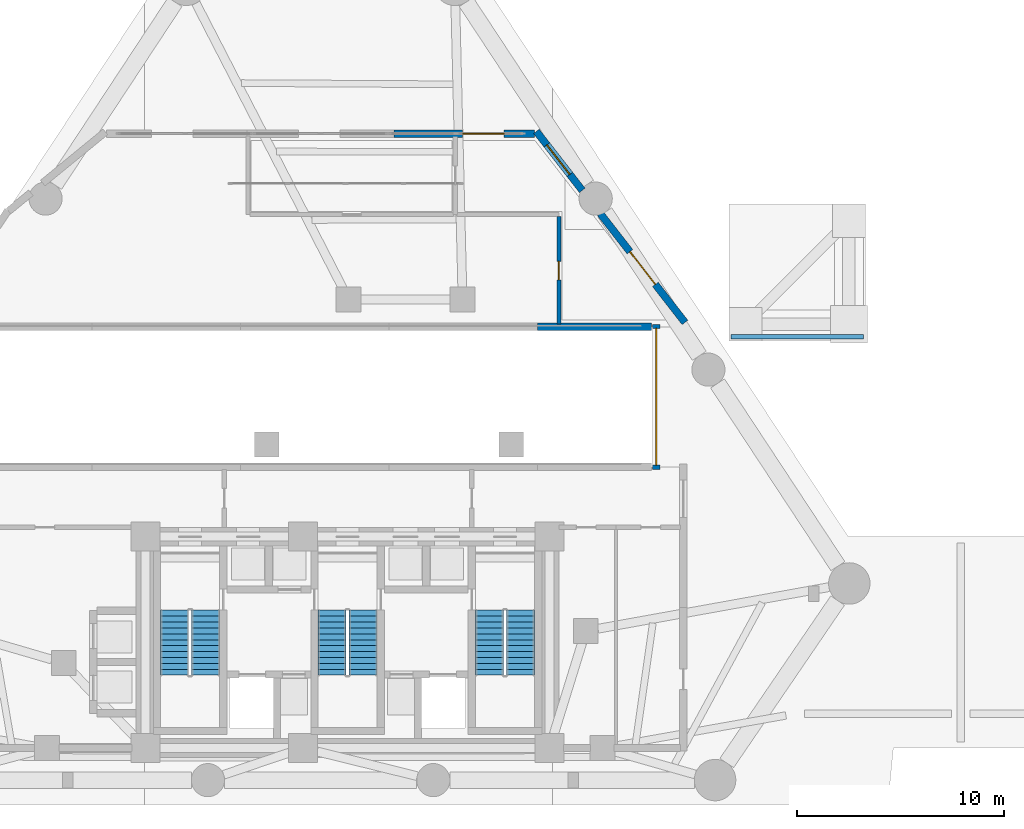
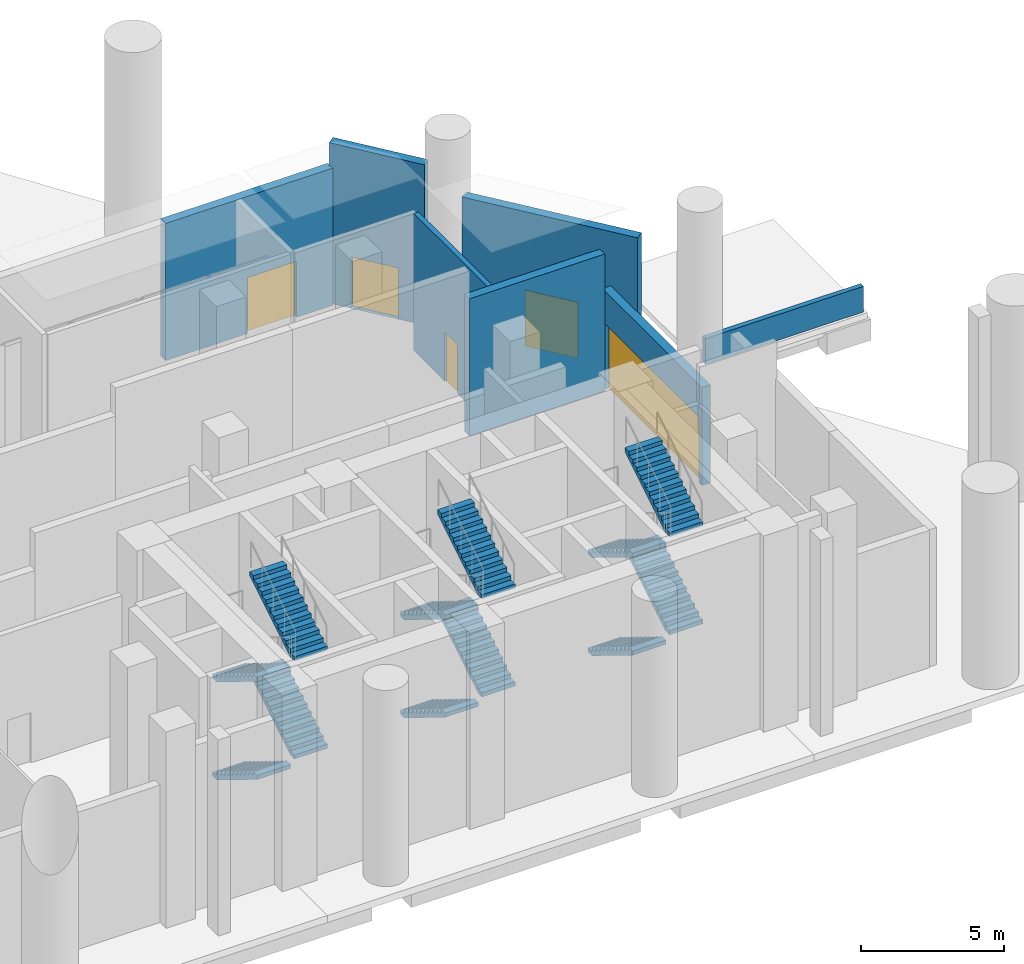
# One storey, part 8 of 12: 12 stair flights, 7 walls, 5 doors, 5 openings, 3 elements without a shape of their own.
"""IFC4 building model written with IfcOpenShell, lengths in metres."""

from ifc_helpers import new_model, si_unit, direction, frame, frame_2d, origin, place, context, subcontext, project, spatial, polyline, rectangle, outline, extrude, material, layer, layer_set, type_object, element, fill, aggregate, save


model = new_model("IFC4")

# Units and contexts
model_context = context("Model", 3, precision=1e-05, world=origin(), true_north=direction((0.0, 1.0)))
body_context = subcontext(model_context, "Body", "Model", "MODEL_VIEW")
ifc_project = project(units=[si_unit("LENGTHUNIT", "METRE"), si_unit("AREAUNIT", "SQUARE_METRE"), si_unit("VOLUMEUNIT", "CUBIC_METRE"), si_unit("PLANEANGLEUNIT", "RADIAN"), si_unit("MASSUNIT", "GRAM", prefix="KILO")], contexts=[model_context])

# Site, building, storey
site_placement = place(None, origin())
site = spatial("IfcSite", under=ifc_project, at=site_placement, CompositionType="ELEMENT")
building_placement = place(site_placement, origin())
building = spatial("IfcBuilding", under=site, at=building_placement, Name="Almagre Mirador Tower", CompositionType="ELEMENT")
storey_placement = place(building_placement, origin())
storey = spatial("IfcBuildingStorey", under=building, at=storey_placement, Name="L00", CompositionType="ELEMENT", Elevation=0.0)

# Wall, opening, door
ifc_material_1 = material(Name="Precast concrete C50/60", Category="concrete")
ifc_layer_1 = layer(ifc_material_1, 0.35009765625)
ifc_layer_set_1 = layer_set([ifc_layer_1], Name="Precast concrete C50/60")
wall_type_1 = type_object("IfcWallType", Name="WAL-EXT-350", PredefinedType="SOLIDWALL", material=ifc_layer_set_1)
wall_1_placement = place(storey_placement, frame((46.4140625, 34.310546875, 0.0), z_axis=(0.0, 0.0, 1.0), x_axis=(0.613935926334, -0.789355862939, 0.0)))
wall_1 = element("IfcWall", 1, at=wall_1_placement, inside=storey, type_object=wall_type_1, Name="L00 ground enclosure wall 1.1", PredefinedType="SOLIDWALL", context=body_context, shape_type="SweptSolid", body=[
    extrude(rectangle(XDim=3.60595703125, YDim=0.35009765625, at=frame_2d((1.802978515625, 0.0))), origin(), (0.0, 0.0, 1.0), 6.875),
])
opening_1_placement = place(wall_1_placement, frame((0.8271484375, 0.0, 0.0)))
opening_1 = element("IfcOpeningElement", 2, at=opening_1_placement, cuts=wall_1, Name="Opening ED-01", PredefinedType="OPENING", context=body_context, shape_type="SweptSolid", body=[
    extrude(rectangle(XDim=1.800048828125, YDim=2.199951171875, at=frame_2d((0.89990234375, 1.10009765625))), frame((0.0, 0.185049, 0.0), z_axis=(0.0, -1.0, 0.0), x_axis=(1.0, 0.0, 0.0)), (0.0, 0.0, 1.0), 0.370098),
])
ifc_material_2 = material(Name="Black anodized aluminium and laminated glass", Category="aluminium")
door_type_1 = type_object("IfcDoorType", Name="DOR-EXT-DBL-1800", OperationType="DOUBLE_DOOR_SINGLE_SWING", PredefinedType="DOOR", material=ifc_material_2)
door_1_placement = place(opening_1_placement, origin())
door_1 = element("IfcDoor", 3, at=door_1_placement, inside=storey, type_object=door_type_1, Name="DR-0035 L00 final exit discharge double door ED-01", OperationType="DOUBLE_DOOR_SINGLE_SWING", OverallHeight=2.199951171875, OverallWidth=1.800048828125, PredefinedType="DOOR", context=body_context, shape_type="SweptSolid", body=[
    extrude(rectangle(XDim=1.800048828125, YDim=2.199951171875, at=frame_2d((0.89990234375, 1.10009765625))), frame((0.0, 0.02490234375, 0.0), z_axis=(0.0, -1.0, 0.0), x_axis=(1.0, 0.0, 0.0)), (0.0, 0.0, 1.0), 0.050048828125),
])
fill(opening_1, door_1)

wall_2_placement = place(storey_placement, frame((49.502197265625, 30.33984375, 0.0), z_axis=(0.0, 0.0, 1.0), x_axis=(0.613960942115, -0.789336405822, 0.0)))
wall_2 = element("IfcWall", 4, at=wall_2_placement, inside=storey, type_object=wall_type_1, Name="L00 ground enclosure wall 1.2", PredefinedType="SOLIDWALL", context=body_context, shape_type="SweptSolid", body=[
    extrude(rectangle(XDim=6.6513671875, YDim=0.35009765625, at=frame_2d((3.32568359375, 0.0))), origin(), (0.0, 0.0, 1.0), 5.875),
])
opening_2_placement = place(wall_2_placement, frame((2.32568359375, 0.0, 0.0)))
opening_2 = element("IfcOpeningElement", 5, at=opening_2_placement, cuts=wall_2, Name="Opening ED-02", PredefinedType="OPENING", context=body_context, shape_type="SweptSolid", body=[
    extrude(rectangle(XDim=2.0, YDim=2.39990234375, at=frame_2d((1.0, 1.199951171875))), frame((0.0, 0.185049, 0.0), z_axis=(0.0, -1.0, 0.0), x_axis=(1.0, 0.0, 0.0)), (0.0, 0.0, 1.0), 0.370098),
])
ifc_material_3 = material(Name="Black anodized aluminium and laminated glass", Category="aluminium")
door_type_2 = type_object("IfcDoorType", Name="DOR-EXT-ENT-2000", OperationType="DOUBLE_DOOR_SINGLE_SWING", PredefinedType="DOOR", material=ifc_material_3)
door_2_placement = place(opening_2_placement, origin())
door_2 = element("IfcDoor", 6, at=door_2_placement, inside=storey, type_object=door_type_2, Name="DR-0038 L00 main plaza entrance double door 01-2", OperationType="DOUBLE_DOOR_SINGLE_SWING", OverallHeight=2.39990234375, OverallWidth=2.0, PredefinedType="DOOR", context=body_context, shape_type="SweptSolid", body=[
    extrude(rectangle(XDim=2.0, YDim=2.39990234375, at=frame_2d((1.0, 1.199951171875))), frame((0.0, 0.02490234375, 0.0), z_axis=(0.0, -1.0, 0.0), x_axis=(1.0, 0.0, 0.0)), (0.0, 0.0, 1.0), 0.050048828125),
])
fill(opening_2, door_2)

# Wall
wall_3_placement = place(storey_placement, frame((51.9599609375, 24.8798828125, 0.0), z_axis=(0.0, 0.0, 1.0), x_axis=(-1.0, 0.0, 0.0)))
element("IfcWall", 7, at=wall_3_placement, inside=storey, type_object=wall_type_1, Name="L00 ground enclosure wall 3.1", PredefinedType="SOLIDWALL", context=body_context, shape_type="SweptSolid", body=[
    extrude(rectangle(XDim=5.48583984375, YDim=0.35009765625, at=frame_2d((2.742919921875, 0.0))), origin(), (0.0, 0.0, 1.0), 5.875),
])

# Wall, opening, door
wall_4_placement = place(storey_placement, frame((39.546630859375, 34.199951171875, 0.0), z_axis=(0.0, 0.0, 1.0), x_axis=(1.0, 0.0, 0.0)))
wall_4 = element("IfcWall", 8, at=wall_4_placement, inside=storey, type_object=wall_type_1, Name="L00 ground enclosure wall 11.3", PredefinedType="SOLIDWALL", context=body_context, shape_type="SweptSolid", body=[
    extrude(rectangle(XDim=6.783447265625, YDim=0.35009765625, at=frame_2d((3.3916015625, 0.0))), origin(), (0.0, 0.0, 1.0), 5.875),
])
opening_3_placement = place(wall_4_placement, frame((3.312255859375, 0.0, 0.0)))
opening_3 = element("IfcOpeningElement", 9, at=opening_3_placement, cuts=wall_4, Name="Opening ED-02", PredefinedType="OPENING", context=body_context, shape_type="SweptSolid", body=[
    extrude(rectangle(XDim=2.0, YDim=2.39990234375, at=frame_2d((1.0, 1.199951171875))), frame((0.0, 0.185049, 0.0), z_axis=(0.0, -1.0, 0.0), x_axis=(1.0, 0.0, 0.0)), (0.0, 0.0, 1.0), 0.370098),
])
door_3_placement = place(opening_3_placement, origin())
door_3 = element("IfcDoor", 10, at=door_3_placement, inside=storey, type_object=door_type_2, Name="DR-0042 L00 main plaza entrance double door 11-3", OperationType="DOUBLE_DOOR_SINGLE_SWING", OverallHeight=2.39990234375, OverallWidth=2.0, PredefinedType="DOOR", context=body_context, shape_type="SweptSolid", body=[
    extrude(rectangle(XDim=2.0, YDim=2.39990234375, at=frame_2d((1.0, 1.199951171875))), frame((0.0, 0.02490234375, 0.0), z_axis=(0.0, -1.0, 0.0), x_axis=(1.0, 0.0, 0.0)), (0.0, 0.0, 1.0), 0.050048828125),
])
fill(opening_3, door_3)

wall_5_placement = place(storey_placement, frame((52.199951171875, 25.0, 0.0), z_axis=(0.0, 0.0, 1.0), x_axis=(0.0, -1.0, 0.0)))
wall_5 = element("IfcWall", 11, at=wall_5_placement, inside=storey, type_object=wall_type_1, Name="L00 car park ramp exterior portal wall", PredefinedType="SOLIDWALL", context=body_context, shape_type="SweptSolid", body=[
    extrude(rectangle(XDim=7.0, YDim=0.35009765625, at=frame_2d((3.5, 0.0))), origin(), (0.0, 0.0, 1.0), 4.199951171875),
])
opening_4_placement = place(wall_5_placement, frame((0.199951171875, 0.0, 0.0)))
opening_4 = element("IfcOpeningElement", 12, at=opening_4_placement, cuts=wall_5, Name="Opening VG-01", PredefinedType="OPENING", context=body_context, shape_type="SweptSolid", body=[
    extrude(rectangle(XDim=6.60009765625, YDim=2.800048828125, at=frame_2d((3.300048828125, 1.39990234375))), frame((0.0, 0.185049, 0.0), z_axis=(0.0, -1.0, 0.0), x_axis=(1.0, 0.0, 0.0)), (0.0, 0.0, 1.0), 0.370098),
])
ifc_material_4 = material(Name="Perforated galvanized steel shutter", Category="steel")
door_type_3 = type_object("IfcDoorType", Name="GAT-RMP-6600X2800", OperationType="ROLLINGUP", PredefinedType="GATE", material=ifc_material_4)
door_4_placement = place(opening_4_placement, origin())
door_4 = element("IfcDoor", 13, at=door_4_placement, inside=storey, type_object=door_type_3, Name="DR-0072 Car park vehicular ramp R1 exterior roller shutter gate VG-01", OperationType="ROLLINGUP", OverallHeight=2.800048828125, OverallWidth=6.60009765625, PredefinedType="GATE", context=body_context, shape_type="SweptSolid", body=[
    extrude(rectangle(XDim=6.60009765625, YDim=2.800048828125, at=frame_2d((3.300048828125, 1.39990234375))), frame((0.0, 0.02490234375, 0.0), z_axis=(0.0, -1.0, 0.0), x_axis=(1.0, 0.0, 0.0)), (0.0, 0.0, 1.0), 0.050048828125),
])
fill(opening_4, door_4)

# Wall
ifc_material_5 = material(Name="Precast concrete C50/60", Category="concrete")
ifc_layer_2 = layer(ifc_material_5, 0.199951171875)
ifc_layer_set_2 = layer_set([ifc_layer_2], Name="Precast concrete C50/60")
wall_type_2 = type_object("IfcWallType", Name="WAL-PAR-200", PredefinedType="PARAPET", material=ifc_layer_set_2)
wall_6_placement = place(storey_placement, frame((55.800048828125, 24.39990234375, 0.050048828125), z_axis=(0.0, 0.0, 1.0), x_axis=(1.0, 0.0, 0.0)))
element("IfcWall", 14, at=wall_6_placement, inside=storey, type_object=wall_type_2, Name="L00 NE reflecting water court parapet", PredefinedType="PARAPET", context=body_context, shape_type="SweptSolid", body=[
    extrude(rectangle(XDim=6.39990234375, YDim=0.199951171875, at=frame_2d((3.199951171875, 0.0))), origin(), (0.0, 0.0, 1.0), 1.099853515625),
])

# Wall, opening, door
ifc_material_6 = material(Name="Gypsum acoustic stud partition", Category="other")
ifc_layer_3 = layer(ifc_material_6, 0.199951171875)
ifc_layer_set_3 = layer_set([ifc_layer_3], Name="Gypsum acoustic stud partition")
wall_type_3 = type_object("IfcWallType", Name="WAL-PRT-200-EI60", PredefinedType="PARTITIONING", material=ifc_layer_set_3)
wall_7_placement = place(storey_placement, frame((47.5, 30.215087890625, 0.0), z_axis=(0.0, 0.0, 1.0), x_axis=(0.0, -1.0, 0.0)))
wall_7 = element("IfcWall", 15, at=wall_7_placement, inside=storey, type_object=wall_type_3, Name="L00 interior partition 012", PredefinedType="PARTITIONING", context=body_context, shape_type="SweptSolid", body=[
    extrude(rectangle(XDim=5.210205078125, YDim=0.199951171875, at=frame_2d((2.60498046875, 0.0))), origin(), (0.0, 0.0, 1.0), 5.8701171875),
])
opening_5_placement = place(wall_7_placement, frame((2.175048828125, 0.0, 0.0)))
opening_5 = element("IfcOpeningElement", 16, at=opening_5_placement, cuts=wall_7, Name="Opening ID-03", PredefinedType="OPENING", context=body_context, shape_type="SweptSolid", body=[
    extrude(rectangle(XDim=0.89990234375, YDim=2.10009765625, at=frame_2d((0.449951171875, 1.050048828125))), frame((0.0, 0.110098, 0.0), z_axis=(0.0, -1.0, 0.0), x_axis=(1.0, 0.0, 0.0)), (0.0, 0.0, 1.0), 0.219951),
])
ifc_material_7 = material(Name="Fire-rated hollow steel", Category="steel")
door_type_4 = type_object("IfcDoorType", Name="DOR-FD60-900X2100", OperationType="NOTDEFINED", PredefinedType="DOOR", material=ifc_material_7)
door_5_placement = place(opening_5_placement, origin())
door_5 = element("IfcDoor", 17, at=door_5_placement, inside=storey, type_object=door_type_4, Name="DR-0048 L00 interior door L00-CONC to L00-COR-01", OperationType="SINGLE_SWING_RIGHT", OverallHeight=2.10009765625, OverallWidth=0.89990234375, PredefinedType="DOOR", context=body_context, shape_type="SweptSolid", body=[
    extrude(rectangle(XDim=0.89990234375, YDim=2.10009765625, at=frame_2d((0.449951171875, 1.050048828125))), frame((0.0, 0.02490234375, 0.0), z_axis=(0.0, -1.0, 0.0), x_axis=(1.0, 0.0, 0.0)), (0.0, 0.0, 1.0), 0.050048828125),
])
fill(opening_5, door_5)

# Stair, stair flights
ifc_material_8 = material(Name="Concrete C45/55", Category="concrete")
stair_type = type_object("IfcStairType", Name="STR-DL-8400", PredefinedType="HALF_TURN_STAIR", material=ifc_material_8)
stair_1_placement = place(storey_placement, origin())
stair_1 = element("IfcStair", 18, at=stair_1_placement, inside=storey, type_object=stair_type, Name="L00 Protected exit stair ST-1", PredefinedType="HALF_TURN_STAIR")
ifc_material_9 = material(Name="Concrete C45/55", Category="concrete")
stair_flight_type = type_object("IfcStairFlightType", Name="FLT-DL-8400", PredefinedType="STRAIGHT", material=ifc_material_9)
stair_flight_1_placement = place(storey_placement, frame((28.949951171875, 11.199951171875, 0.0), z_axis=(0.0, 0.0, 1.0), x_axis=(0.0, -1.0, 0.0)))
stair_flight_1 = element("IfcStairFlight", 19, at=stair_flight_1_placement, type_object=stair_flight_type, Name="ST-1 flight 1", NumberOfRisers=12, NumberOfTreads=11, PredefinedType="STRAIGHT", RiserHeight=0.175, TreadLength=0.285, context=body_context, shape_type="SweptSolid", body=[
    extrude(outline(polyline([(0.0, 0.0), (0.0, 0.175048828125), (0.284912109375, 0.175048828125), (0.284912109375, 0.35009765625), (0.570068359375, 0.35009765625), (0.570068359375, 0.52490234375), (0.85498046875, 0.52490234375), (0.85498046875, 0.699951171875), (1.139892578125, 0.699951171875), (1.139892578125, 0.875), (1.425048828125, 0.875), (1.425048828125, 1.050048828125), (1.7099609375, 1.050048828125), (1.7099609375, 1.22509765625), (1.9951171875, 1.22509765625), (1.9951171875, 1.39990234375), (2.280029296875, 1.39990234375), (2.280029296875, 1.574951171875), (2.56494140625, 1.574951171875), (2.56494140625, 1.75), (2.85009765625, 1.75), (2.85009765625, 1.925048828125), (3.135009765625, 1.925048828125), (3.135009765625, 2.10009765625), (3.135009765625, 1.7490234375), (0.286376953125, 0.0), (0.0, 0.0)])), frame((0.0, 0.675048828125, 0.0), z_axis=(0.0, -1.0, 0.0), x_axis=(1.0, 0.0, 0.0)), (0.0, 0.0, 1.0), 1.35009765625),
])
stair_flight_2_placement = place(storey_placement, frame((30.449951171875, 8.06494140625, 2.10009765625), z_axis=(0.0, 0.0, 1.0), x_axis=(0.0, 1.0, 0.0)))
stair_flight_2 = element("IfcStairFlight", 20, at=stair_flight_2_placement, type_object=stair_flight_type, Name="ST-1 flight 2", NumberOfRisers=12, NumberOfTreads=11, PredefinedType="STRAIGHT", RiserHeight=0.175, TreadLength=0.285, context=body_context, shape_type="SweptSolid", body=[
    extrude(outline(polyline([(0.0, 0.0), (0.0, 0.175048828125), (0.284912109375, 0.175048828125), (0.284912109375, 0.35009765625), (0.570068359375, 0.35009765625), (0.570068359375, 0.52490234375), (0.85498046875, 0.52490234375), (0.85498046875, 0.699951171875), (1.139892578125, 0.699951171875), (1.139892578125, 0.875), (1.425048828125, 0.875), (1.425048828125, 1.050048828125), (1.7099609375, 1.050048828125), (1.7099609375, 1.22509765625), (1.9951171875, 1.22509765625), (1.9951171875, 1.39990234375), (2.280029296875, 1.39990234375), (2.280029296875, 1.574951171875), (2.56494140625, 1.574951171875), (2.56494140625, 1.75), (2.85009765625, 1.75), (2.85009765625, 1.925048828125), (3.135009765625, 1.925048828125), (3.135009765625, 2.10009765625), (3.135009765625, 1.7490234375), (0.286376953125, 0.0), (0.0, 0.0)])), frame((0.0, 0.675048828125, 0.0), z_axis=(0.0, -1.0, 0.0), x_axis=(1.0, 0.0, 0.0)), (0.0, 0.0, 1.0), 1.35009765625),
])
stair_flight_3_placement = place(storey_placement, frame((28.949951171875, 11.199951171875, 4.199951171875), z_axis=(0.0, 0.0, 1.0), x_axis=(0.0, -1.0, 0.0)))
stair_flight_3 = element("IfcStairFlight", 21, at=stair_flight_3_placement, type_object=stair_flight_type, Name="ST-1 flight 3", NumberOfRisers=12, NumberOfTreads=11, PredefinedType="STRAIGHT", RiserHeight=0.175, TreadLength=0.285, context=body_context, shape_type="SweptSolid", body=[
    extrude(outline(polyline([(0.0, 0.0), (0.0, 0.175048828125), (0.284912109375, 0.175048828125), (0.284912109375, 0.35009765625), (0.570068359375, 0.35009765625), (0.570068359375, 0.52490234375), (0.85498046875, 0.52490234375), (0.85498046875, 0.699951171875), (1.139892578125, 0.699951171875), (1.139892578125, 0.875), (1.425048828125, 0.875), (1.425048828125, 1.050048828125), (1.7099609375, 1.050048828125), (1.7099609375, 1.22509765625), (1.9951171875, 1.22509765625), (1.9951171875, 1.39990234375), (2.280029296875, 1.39990234375), (2.280029296875, 1.574951171875), (2.56494140625, 1.574951171875), (2.56494140625, 1.75), (2.85009765625, 1.75), (2.85009765625, 1.925048828125), (3.135009765625, 1.925048828125), (3.135009765625, 2.10009765625), (3.135009765625, 1.7490234375), (0.286376953125, 0.0), (0.0, 0.0)])), frame((0.0, 0.675048828125, 0.0), z_axis=(0.0, -1.0, 0.0), x_axis=(1.0, 0.0, 0.0)), (0.0, 0.0, 1.0), 1.35009765625),
])
stair_flight_4_placement = place(storey_placement, frame((30.449951171875, 8.06494140625, 6.300048828125), z_axis=(0.0, 0.0, 1.0), x_axis=(0.0, 1.0, 0.0)))
stair_flight_4 = element("IfcStairFlight", 22, at=stair_flight_4_placement, type_object=stair_flight_type, Name="ST-1 flight 4", NumberOfRisers=12, NumberOfTreads=11, PredefinedType="STRAIGHT", RiserHeight=0.175, TreadLength=0.285, context=body_context, shape_type="SweptSolid", body=[
    extrude(outline(polyline([(0.0, 0.0), (0.0, 0.175048828125), (0.284912109375, 0.175048828125), (0.284912109375, 0.35009765625), (0.570068359375, 0.35009765625), (0.570068359375, 0.52490234375), (0.85498046875, 0.52490234375), (0.85498046875, 0.699951171875), (1.139892578125, 0.699951171875), (1.139892578125, 0.875), (1.425048828125, 0.875), (1.425048828125, 1.050048828125), (1.7099609375, 1.050048828125), (1.7099609375, 1.22509765625), (1.9951171875, 1.22509765625), (1.9951171875, 1.39990234375), (2.280029296875, 1.39990234375), (2.280029296875, 1.574951171875), (2.56494140625, 1.574951171875), (2.56494140625, 1.75), (2.85009765625, 1.75), (2.85009765625, 1.925048828125), (3.135009765625, 1.925048828125), (3.135009765625, 2.10009765625), (3.135009765625, 1.7490234375), (0.286376953125, 0.0), (0.0, 0.0)])), frame((0.0, 0.675048828125, 0.0), z_axis=(0.0, -1.0, 0.0), x_axis=(1.0, 0.0, 0.0)), (0.0, 0.0, 1.0), 1.35009765625),
])
aggregate(stair_1, [stair_flight_1, stair_flight_2, stair_flight_3, stair_flight_4])

stair_2_placement = place(storey_placement, origin())
stair_2 = element("IfcStair", 23, at=stair_2_placement, inside=storey, type_object=stair_type, Name="L00 Protected exit stair ST-2", PredefinedType="HALF_TURN_STAIR")
stair_flight_5_placement = place(storey_placement, frame((36.550048828125, 11.199951171875, 0.0), z_axis=(0.0, 0.0, 1.0), x_axis=(0.0, -1.0, 0.0)))
stair_flight_5 = element("IfcStairFlight", 24, at=stair_flight_5_placement, type_object=stair_flight_type, Name="ST-2 flight 1", NumberOfRisers=12, NumberOfTreads=11, PredefinedType="STRAIGHT", RiserHeight=0.175, TreadLength=0.285, context=body_context, shape_type="SweptSolid", body=[
    extrude(outline(polyline([(0.0, 0.0), (0.0, 0.175048828125), (0.284912109375, 0.175048828125), (0.284912109375, 0.35009765625), (0.570068359375, 0.35009765625), (0.570068359375, 0.52490234375), (0.85498046875, 0.52490234375), (0.85498046875, 0.699951171875), (1.139892578125, 0.699951171875), (1.139892578125, 0.875), (1.425048828125, 0.875), (1.425048828125, 1.050048828125), (1.7099609375, 1.050048828125), (1.7099609375, 1.22509765625), (1.9951171875, 1.22509765625), (1.9951171875, 1.39990234375), (2.280029296875, 1.39990234375), (2.280029296875, 1.574951171875), (2.56494140625, 1.574951171875), (2.56494140625, 1.75), (2.85009765625, 1.75), (2.85009765625, 1.925048828125), (3.135009765625, 1.925048828125), (3.135009765625, 2.10009765625), (3.135009765625, 1.7490234375), (0.286376953125, 0.0), (0.0, 0.0)])), frame((0.0, 0.675048828125, 0.0), z_axis=(0.0, -1.0, 0.0), x_axis=(1.0, 0.0, 0.0)), (0.0, 0.0, 1.0), 1.35009765625),
])
stair_flight_6_placement = place(storey_placement, frame((38.050048828125, 8.06494140625, 2.10009765625), z_axis=(0.0, 0.0, 1.0), x_axis=(0.0, 1.0, 0.0)))
stair_flight_6 = element("IfcStairFlight", 25, at=stair_flight_6_placement, type_object=stair_flight_type, Name="ST-2 flight 2", NumberOfRisers=12, NumberOfTreads=11, PredefinedType="STRAIGHT", RiserHeight=0.175, TreadLength=0.285, context=body_context, shape_type="SweptSolid", body=[
    extrude(outline(polyline([(0.0, 0.0), (0.0, 0.175048828125), (0.284912109375, 0.175048828125), (0.284912109375, 0.35009765625), (0.570068359375, 0.35009765625), (0.570068359375, 0.52490234375), (0.85498046875, 0.52490234375), (0.85498046875, 0.699951171875), (1.139892578125, 0.699951171875), (1.139892578125, 0.875), (1.425048828125, 0.875), (1.425048828125, 1.050048828125), (1.7099609375, 1.050048828125), (1.7099609375, 1.22509765625), (1.9951171875, 1.22509765625), (1.9951171875, 1.39990234375), (2.280029296875, 1.39990234375), (2.280029296875, 1.574951171875), (2.56494140625, 1.574951171875), (2.56494140625, 1.75), (2.85009765625, 1.75), (2.85009765625, 1.925048828125), (3.135009765625, 1.925048828125), (3.135009765625, 2.10009765625), (3.135009765625, 1.7490234375), (0.286376953125, 0.0), (0.0, 0.0)])), frame((0.0, 0.675048828125, 0.0), z_axis=(0.0, -1.0, 0.0), x_axis=(1.0, 0.0, 0.0)), (0.0, 0.0, 1.0), 1.35009765625),
])
stair_flight_7_placement = place(storey_placement, frame((36.550048828125, 11.199951171875, 4.199951171875), z_axis=(0.0, 0.0, 1.0), x_axis=(0.0, -1.0, 0.0)))
stair_flight_7 = element("IfcStairFlight", 26, at=stair_flight_7_placement, type_object=stair_flight_type, Name="ST-2 flight 3", NumberOfRisers=12, NumberOfTreads=11, PredefinedType="STRAIGHT", RiserHeight=0.175, TreadLength=0.285, context=body_context, shape_type="SweptSolid", body=[
    extrude(outline(polyline([(0.0, 0.0), (0.0, 0.175048828125), (0.284912109375, 0.175048828125), (0.284912109375, 0.35009765625), (0.570068359375, 0.35009765625), (0.570068359375, 0.52490234375), (0.85498046875, 0.52490234375), (0.85498046875, 0.699951171875), (1.139892578125, 0.699951171875), (1.139892578125, 0.875), (1.425048828125, 0.875), (1.425048828125, 1.050048828125), (1.7099609375, 1.050048828125), (1.7099609375, 1.22509765625), (1.9951171875, 1.22509765625), (1.9951171875, 1.39990234375), (2.280029296875, 1.39990234375), (2.280029296875, 1.574951171875), (2.56494140625, 1.574951171875), (2.56494140625, 1.75), (2.85009765625, 1.75), (2.85009765625, 1.925048828125), (3.135009765625, 1.925048828125), (3.135009765625, 2.10009765625), (3.135009765625, 1.7490234375), (0.286376953125, 0.0), (0.0, 0.0)])), frame((0.0, 0.675048828125, 0.0), z_axis=(0.0, -1.0, 0.0), x_axis=(1.0, 0.0, 0.0)), (0.0, 0.0, 1.0), 1.35009765625),
])
stair_flight_8_placement = place(storey_placement, frame((38.050048828125, 8.06494140625, 6.300048828125), z_axis=(0.0, 0.0, 1.0), x_axis=(0.0, 1.0, 0.0)))
stair_flight_8 = element("IfcStairFlight", 27, at=stair_flight_8_placement, type_object=stair_flight_type, Name="ST-2 flight 4", NumberOfRisers=12, NumberOfTreads=11, PredefinedType="STRAIGHT", RiserHeight=0.175, TreadLength=0.285, context=body_context, shape_type="SweptSolid", body=[
    extrude(outline(polyline([(0.0, 0.0), (0.0, 0.175048828125), (0.284912109375, 0.175048828125), (0.284912109375, 0.35009765625), (0.570068359375, 0.35009765625), (0.570068359375, 0.52490234375), (0.85498046875, 0.52490234375), (0.85498046875, 0.699951171875), (1.139892578125, 0.699951171875), (1.139892578125, 0.875), (1.425048828125, 0.875), (1.425048828125, 1.050048828125), (1.7099609375, 1.050048828125), (1.7099609375, 1.22509765625), (1.9951171875, 1.22509765625), (1.9951171875, 1.39990234375), (2.280029296875, 1.39990234375), (2.280029296875, 1.574951171875), (2.56494140625, 1.574951171875), (2.56494140625, 1.75), (2.85009765625, 1.75), (2.85009765625, 1.925048828125), (3.135009765625, 1.925048828125), (3.135009765625, 2.10009765625), (3.135009765625, 1.7490234375), (0.286376953125, 0.0), (0.0, 0.0)])), frame((0.0, 0.675048828125, 0.0), z_axis=(0.0, -1.0, 0.0), x_axis=(1.0, 0.0, 0.0)), (0.0, 0.0, 1.0), 1.35009765625),
])
aggregate(stair_2, [stair_flight_5, stair_flight_6, stair_flight_7, stair_flight_8])

stair_3_placement = place(storey_placement, origin())
stair_3 = element("IfcStair", 28, at=stair_3_placement, inside=storey, type_object=stair_type, Name="L00 Protected exit stair ST-3", PredefinedType="HALF_TURN_STAIR")
stair_flight_9_placement = place(storey_placement, frame((44.14990234375, 11.199951171875, 0.0), z_axis=(0.0, 0.0, 1.0), x_axis=(0.0, -1.0, 0.0)))
stair_flight_9 = element("IfcStairFlight", 29, at=stair_flight_9_placement, type_object=stair_flight_type, Name="ST-3 flight 1", NumberOfRisers=12, NumberOfTreads=11, PredefinedType="STRAIGHT", RiserHeight=0.175, TreadLength=0.285, context=body_context, shape_type="SweptSolid", body=[
    extrude(outline(polyline([(0.0, 0.0), (0.0, 0.175048828125), (0.284912109375, 0.175048828125), (0.284912109375, 0.35009765625), (0.570068359375, 0.35009765625), (0.570068359375, 0.52490234375), (0.85498046875, 0.52490234375), (0.85498046875, 0.699951171875), (1.139892578125, 0.699951171875), (1.139892578125, 0.875), (1.425048828125, 0.875), (1.425048828125, 1.050048828125), (1.7099609375, 1.050048828125), (1.7099609375, 1.22509765625), (1.9951171875, 1.22509765625), (1.9951171875, 1.39990234375), (2.280029296875, 1.39990234375), (2.280029296875, 1.574951171875), (2.56494140625, 1.574951171875), (2.56494140625, 1.75), (2.85009765625, 1.75), (2.85009765625, 1.925048828125), (3.135009765625, 1.925048828125), (3.135009765625, 2.10009765625), (3.135009765625, 1.7490234375), (0.286376953125, 0.0), (0.0, 0.0)])), frame((0.0, 0.675048828125, 0.0), z_axis=(0.0, -1.0, 0.0), x_axis=(1.0, 0.0, 0.0)), (0.0, 0.0, 1.0), 1.35009765625),
])
stair_flight_10_placement = place(storey_placement, frame((45.64990234375, 8.06494140625, 2.10009765625), z_axis=(0.0, 0.0, 1.0), x_axis=(0.0, 1.0, 0.0)))
stair_flight_10 = element("IfcStairFlight", 30, at=stair_flight_10_placement, type_object=stair_flight_type, Name="ST-3 flight 2", NumberOfRisers=12, NumberOfTreads=11, PredefinedType="STRAIGHT", RiserHeight=0.175, TreadLength=0.285, context=body_context, shape_type="SweptSolid", body=[
    extrude(outline(polyline([(0.0, 0.0), (0.0, 0.175048828125), (0.284912109375, 0.175048828125), (0.284912109375, 0.35009765625), (0.570068359375, 0.35009765625), (0.570068359375, 0.52490234375), (0.85498046875, 0.52490234375), (0.85498046875, 0.699951171875), (1.139892578125, 0.699951171875), (1.139892578125, 0.875), (1.425048828125, 0.875), (1.425048828125, 1.050048828125), (1.7099609375, 1.050048828125), (1.7099609375, 1.22509765625), (1.9951171875, 1.22509765625), (1.9951171875, 1.39990234375), (2.280029296875, 1.39990234375), (2.280029296875, 1.574951171875), (2.56494140625, 1.574951171875), (2.56494140625, 1.75), (2.85009765625, 1.75), (2.85009765625, 1.925048828125), (3.135009765625, 1.925048828125), (3.135009765625, 2.10009765625), (3.135009765625, 1.7490234375), (0.286376953125, 0.0), (0.0, 0.0)])), frame((0.0, 0.675048828125, 0.0), z_axis=(0.0, -1.0, 0.0), x_axis=(1.0, 0.0, 0.0)), (0.0, 0.0, 1.0), 1.35009765625),
])
stair_flight_11_placement = place(storey_placement, frame((44.14990234375, 11.199951171875, 4.199951171875), z_axis=(0.0, 0.0, 1.0), x_axis=(0.0, -1.0, 0.0)))
stair_flight_11 = element("IfcStairFlight", 31, at=stair_flight_11_placement, type_object=stair_flight_type, Name="ST-3 flight 3", NumberOfRisers=12, NumberOfTreads=11, PredefinedType="STRAIGHT", RiserHeight=0.175, TreadLength=0.285, context=body_context, shape_type="SweptSolid", body=[
    extrude(outline(polyline([(0.0, 0.0), (0.0, 0.175048828125), (0.284912109375, 0.175048828125), (0.284912109375, 0.35009765625), (0.570068359375, 0.35009765625), (0.570068359375, 0.52490234375), (0.85498046875, 0.52490234375), (0.85498046875, 0.699951171875), (1.139892578125, 0.699951171875), (1.139892578125, 0.875), (1.425048828125, 0.875), (1.425048828125, 1.050048828125), (1.7099609375, 1.050048828125), (1.7099609375, 1.22509765625), (1.9951171875, 1.22509765625), (1.9951171875, 1.39990234375), (2.280029296875, 1.39990234375), (2.280029296875, 1.574951171875), (2.56494140625, 1.574951171875), (2.56494140625, 1.75), (2.85009765625, 1.75), (2.85009765625, 1.925048828125), (3.135009765625, 1.925048828125), (3.135009765625, 2.10009765625), (3.135009765625, 1.7490234375), (0.286376953125, 0.0), (0.0, 0.0)])), frame((0.0, 0.675048828125, 0.0), z_axis=(0.0, -1.0, 0.0), x_axis=(1.0, 0.0, 0.0)), (0.0, 0.0, 1.0), 1.35009765625),
])
stair_flight_12_placement = place(storey_placement, frame((45.64990234375, 8.06494140625, 6.300048828125), z_axis=(0.0, 0.0, 1.0), x_axis=(0.0, 1.0, 0.0)))
stair_flight_12 = element("IfcStairFlight", 32, at=stair_flight_12_placement, type_object=stair_flight_type, Name="ST-3 flight 4", NumberOfRisers=12, NumberOfTreads=11, PredefinedType="STRAIGHT", RiserHeight=0.175, TreadLength=0.285, context=body_context, shape_type="SweptSolid", body=[
    extrude(outline(polyline([(0.0, 0.0), (0.0, 0.175048828125), (0.284912109375, 0.175048828125), (0.284912109375, 0.35009765625), (0.570068359375, 0.35009765625), (0.570068359375, 0.52490234375), (0.85498046875, 0.52490234375), (0.85498046875, 0.699951171875), (1.139892578125, 0.699951171875), (1.139892578125, 0.875), (1.425048828125, 0.875), (1.425048828125, 1.050048828125), (1.7099609375, 1.050048828125), (1.7099609375, 1.22509765625), (1.9951171875, 1.22509765625), (1.9951171875, 1.39990234375), (2.280029296875, 1.39990234375), (2.280029296875, 1.574951171875), (2.56494140625, 1.574951171875), (2.56494140625, 1.75), (2.85009765625, 1.75), (2.85009765625, 1.925048828125), (3.135009765625, 1.925048828125), (3.135009765625, 2.10009765625), (3.135009765625, 1.7490234375), (0.286376953125, 0.0), (0.0, 0.0)])), frame((0.0, 0.675048828125, 0.0), z_axis=(0.0, -1.0, 0.0), x_axis=(1.0, 0.0, 0.0)), (0.0, 0.0, 1.0), 1.35009765625),
])
aggregate(stair_3, [stair_flight_9, stair_flight_10, stair_flight_11, stair_flight_12])

save(model, "model.ifc")
